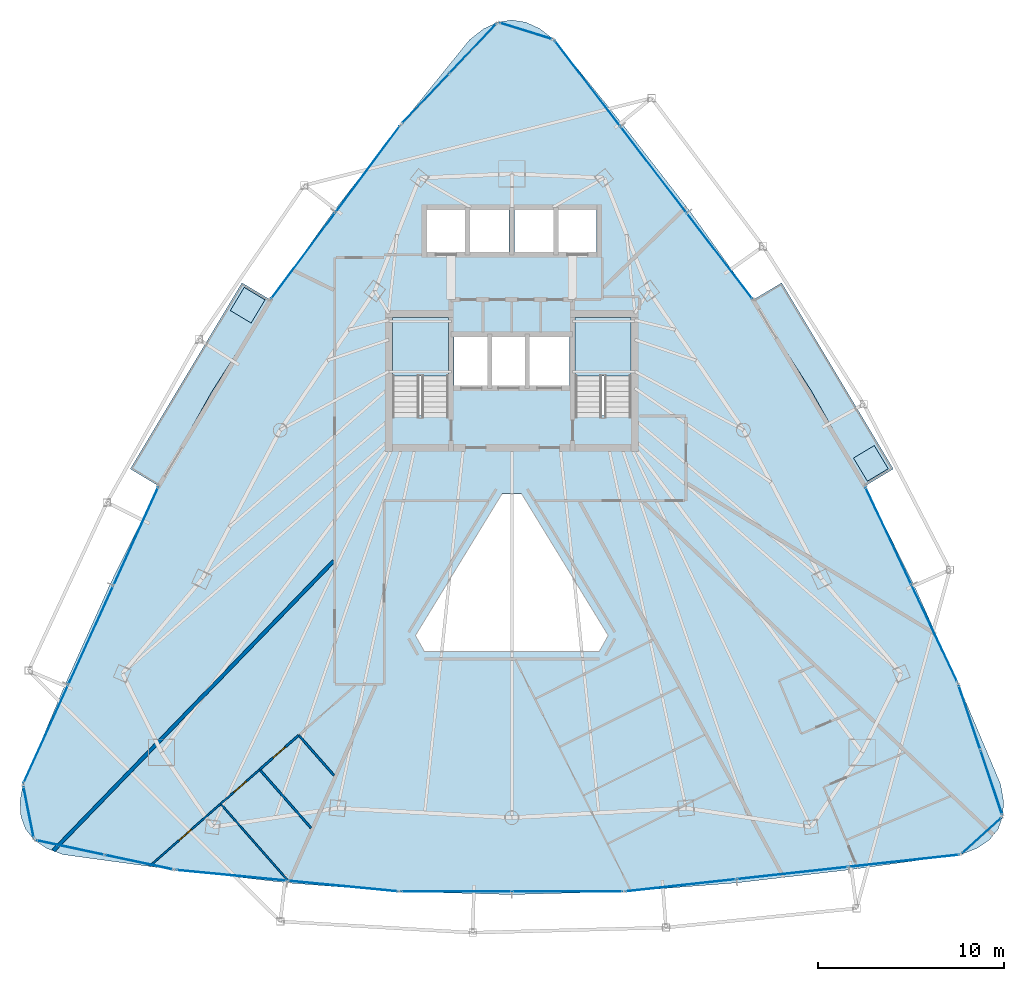
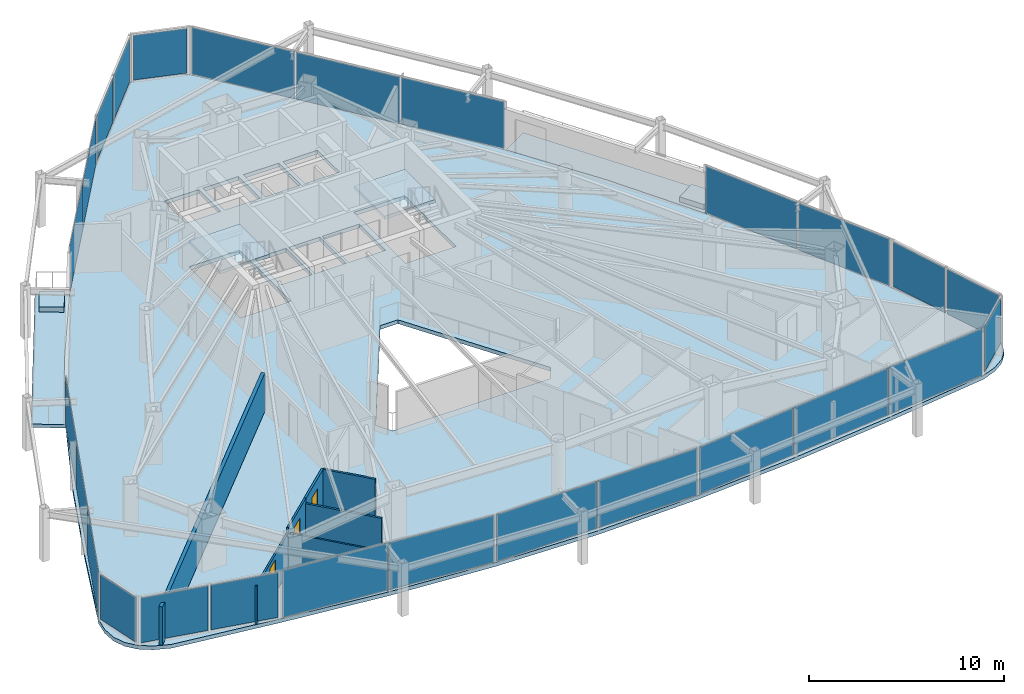
# One storey, part 25 of 31: 26 plates, 7 slabs, 7 walls, 3 doors, 3 openings, 15 elements without a shape of their own.
"""IFC4 building model written with IfcOpenShell, lengths in metres."""

from ifc_helpers import new_model, si_unit, direction, frame, frame_2d, origin, origin_2d, place, context, subcontext, project, spatial, polyline, rectangle, outline, extrude, material, layer, layer_set, type_object, element, fill, aggregate, save


model = new_model("IFC4")

# Units and contexts
model_context = context("Model", 3, precision=1e-05, world=origin(), true_north=direction((0.0, 1.0)))
body_context = subcontext(model_context, "Body", "Model", "MODEL_VIEW")
ifc_project = project(units=[si_unit("LENGTHUNIT", "METRE"), si_unit("AREAUNIT", "SQUARE_METRE"), si_unit("VOLUMEUNIT", "CUBIC_METRE"), si_unit("PLANEANGLEUNIT", "RADIAN"), si_unit("MASSUNIT", "GRAM", prefix="KILO")], contexts=[model_context])

# Site, building, storey
site_placement = place(None, origin())
site = spatial("IfcSite", under=ifc_project, at=site_placement, CompositionType="ELEMENT")
building_placement = place(site_placement, origin())
building = spatial("IfcBuilding", under=site, at=building_placement, Name="Orvanel Arch Residences", CompositionType="ELEMENT")
storey_placement = place(building_placement, frame((0.0, 0.0, 106.699951171875)))
storey = spatial("IfcBuildingStorey", under=building, at=storey_placement, Name="L29", CompositionType="ELEMENT", Elevation=106.699951171875)

# Curtain wall, plates
ifc_material_1 = material(Name="Bronze-anodised aluminium AA6063-T6", Category="aluminium")
ifc_layer_1 = layer(ifc_material_1, 0.179931640625)
ifc_layer_set_1 = layer_set([ifc_layer_1], Name="Bronze-anodised aluminium AA6063-T6")
curtain_wall_type_1 = type_object("IfcCurtainWallType", Name="CW3-MID-SYS", PredefinedType="NOTDEFINED", material=ifc_layer_set_1)
curtain_wall_1_placement = place(storey_placement, origin())
curtain_wall_1 = element("IfcCurtainWall", 1, at=curtain_wall_1_placement, inside=storey, type_object=curtain_wall_type_1, Name="L29 CW3-MID-SYS Unitised Curtain Wall", PredefinedType="NOTDEFINED")
ifc_material_2 = material(Name="Double-glazed solar-control low-E safety glass", Category="glass")
ifc_layer_2 = layer(ifc_material_2, 0.028076171875)
ifc_layer_set_2 = layer_set([ifc_layer_2], Name="Double-glazed solar-control low-E safety glass")
plate_type_1 = type_object("IfcPlateType", Name="PNL-GLZ-28", PredefinedType="CURTAIN_PANEL", material=ifc_layer_set_2)
plate_1_placement = place(storey_placement, frame((25.26953125, 41.6552734375, 0.06005859375), z_axis=(0.0, 0.0, 1.0), x_axis=(-0.596964580755, -0.802267592094, 0.0)))
plate_1 = element("IfcPlate", 2, at=plate_1_placement, type_object=plate_type_1, Name="CW-S3 panel 1.1", PredefinedType="CURTAIN_PANEL", context=body_context, shape_type="SweptSolid", body=[
    extrude(rectangle(XDim=5.727783203125, YDim=0.028076171875, at=origin_2d()), origin(), (0.0, 0.0, 1.0), 2.93994140625),
])
plate_2_placement = place(storey_placement, frame((21.808349609375, 37.00390625, 0.06005859375), z_axis=(0.0, 0.0, 1.0), x_axis=(-0.596964580755, -0.802267592094, 0.0)))
plate_2 = element("IfcPlate", 3, at=plate_2_placement, type_object=plate_type_1, Name="CW-S3 panel 2.1", PredefinedType="CURTAIN_PANEL", context=body_context, shape_type="SweptSolid", body=[
    extrude(rectangle(XDim=5.727783203125, YDim=0.028076171875, at=origin_2d()), origin(), (0.0, 0.0, 1.0), 2.93994140625),
])
aggregate(curtain_wall_1, [plate_1, plate_2])

curtain_wall_2_placement = place(storey_placement, origin())
curtain_wall_2 = element("IfcCurtainWall", 4, at=curtain_wall_2_placement, inside=storey, type_object=curtain_wall_type_1, Name="L29 CW3-MID-SYS Unitised Curtain Wall", PredefinedType="NOTDEFINED")
plate_3_placement = place(storey_placement, frame((12.826171875, 21.94970703125, 0.06005859375), z_axis=(0.0, 0.0, 1.0), x_axis=(-0.414361115258, -0.910112556864, 0.0)))
plate_3 = element("IfcPlate", 5, at=plate_3_placement, type_object=plate_type_1, Name="CW-S3 panel 1.1", PredefinedType="CURTAIN_PANEL", context=body_context, shape_type="SweptSolid", body=[
    extrude(rectangle(XDim=5.743408203125, YDim=0.028076171875, at=origin_2d()), origin(), (0.0, 0.0, 1.0), 2.93994140625),
])
plate_4_placement = place(storey_placement, frame((10.409912109375, 16.64306640625, 0.06005859375), z_axis=(0.0, 0.0, 1.0), x_axis=(-0.414361115258, -0.910112556864, 0.0)))
plate_4 = element("IfcPlate", 6, at=plate_4_placement, type_object=plate_type_1, Name="CW-S3 panel 2.1", PredefinedType="CURTAIN_PANEL", context=body_context, shape_type="SweptSolid", body=[
    extrude(rectangle(XDim=5.7783203125, YDim=0.028076171875, at=origin_2d()), origin(), (0.0, 0.0, 1.0), 2.93994140625),
])
plate_5_placement = place(storey_placement, frame((7.993896484375, 11.336181640625, 0.06005859375), z_axis=(0.0, 0.0, 1.0), x_axis=(-0.414361115258, -0.910112556864, 0.0)))
plate_5 = element("IfcPlate", 7, at=plate_5_placement, type_object=plate_type_1, Name="CW-S3 panel 3.1", PredefinedType="CURTAIN_PANEL", context=body_context, shape_type="SweptSolid", body=[
    extrude(rectangle(XDim=5.743408203125, YDim=0.028076171875, at=origin_2d()), origin(), (0.0, 0.0, 1.0), 2.93994140625),
])
aggregate(curtain_wall_2, [plate_3, plate_4, plate_5])

curtain_wall_3_placement = place(storey_placement, origin())
curtain_wall_3 = element("IfcCurtainWall", 8, at=curtain_wall_3_placement, inside=storey, type_object=curtain_wall_type_1, Name="L29 CW3-MID-SYS Unitised Curtain Wall", PredefinedType="NOTDEFINED")
plate_6_placement = place(storey_placement, frame((17.96923828125, 3.747802734375, 0.06005859375), z_axis=(0.0, 0.0, 1.0), x_axis=(0.995381496434, -0.095998315385, 0.0)))
plate_6 = element("IfcPlate", 9, at=plate_6_placement, type_object=plate_type_1, Name="CW-S3 panel 1.1", PredefinedType="CURTAIN_PANEL", context=body_context, shape_type="SweptSolid", body=[
    extrude(rectangle(XDim=5.92626953125, YDim=0.028076171875, at=origin_2d()), origin(), (0.0, 0.0, 1.0), 2.93994140625),
])
plate_7_placement = place(storey_placement, frame((23.937744140625, 3.172119140625, 0.06005859375), z_axis=(0.0, 0.0, 1.0), x_axis=(0.995381496434, -0.095998315385, 0.0)))
plate_7 = element("IfcPlate", 10, at=plate_7_placement, type_object=plate_type_1, Name="CW-S3 panel 2.1", PredefinedType="CURTAIN_PANEL", context=body_context, shape_type="SweptSolid", body=[
    extrude(rectangle(XDim=5.92626953125, YDim=0.028076171875, at=origin_2d()), origin(), (0.0, 0.0, 1.0), 2.93994140625),
])
aggregate(curtain_wall_3, [plate_6, plate_7])

curtain_wall_4_placement = place(storey_placement, origin())
curtain_wall_4 = element("IfcCurtainWall", 11, at=curtain_wall_4_placement, inside=storey, type_object=curtain_wall_type_1, Name="L29 CW3-MID-SYS Unitised Curtain Wall", PredefinedType="NOTDEFINED")
plate_8_placement = place(storey_placement, frame((30.01611328125, 2.87890625, 0.06005859375), z_axis=(0.0, 0.0, 1.0), x_axis=(1.0, 0.0, 0.0)))
plate_8 = element("IfcPlate", 12, at=plate_8_placement, type_object=plate_type_1, Name="CW-S3 panel 1.1", PredefinedType="CURTAIN_PANEL", context=body_context, shape_type="SweptSolid", body=[
    extrude(rectangle(XDim=5.89794921875, YDim=0.028076171875, at=origin_2d()), origin(), (0.0, 0.0, 1.0), 2.93994140625),
])
plate_9_placement = place(storey_placement, frame((35.98388671875, 2.87890625, 0.06005859375), z_axis=(0.0, 0.0, 1.0), x_axis=(1.0, 0.0, 0.0)))
plate_9 = element("IfcPlate", 13, at=plate_9_placement, type_object=plate_type_1, Name="CW-S3 panel 2.1", PredefinedType="CURTAIN_PANEL", context=body_context, shape_type="SweptSolid", body=[
    extrude(rectangle(XDim=5.89794921875, YDim=0.028076171875, at=origin_2d()), origin(), (0.0, 0.0, 1.0), 2.93994140625),
])
aggregate(curtain_wall_4, [plate_8, plate_9])

curtain_wall_5_placement = place(storey_placement, origin())
curtain_wall_5 = element("IfcCurtainWall", 14, at=curtain_wall_5_placement, inside=storey, type_object=curtain_wall_type_1, Name="L29 CW3-MID-SYS Unitised Curtain Wall", PredefinedType="NOTDEFINED")
plate_10_placement = place(storey_placement, frame((42.065673828125, 3.212890625, 0.06005859375), z_axis=(0.0, 0.0, 1.0), x_axis=(0.994024770117, 0.109154736008, 0.0)))
plate_10 = element("IfcPlate", 15, at=plate_10_placement, type_object=plate_type_1, Name="CW-S3 panel 1.1", PredefinedType="CURTAIN_PANEL", context=body_context, shape_type="SweptSolid", body=[
    extrude(rectangle(XDim=5.94140625, YDim=0.028076171875, at=origin_2d()), origin(), (0.0, 0.0, 1.0), 2.93994140625),
])
plate_11_placement = place(storey_placement, frame((48.05859375, 3.87109375, 0.06005859375), z_axis=(0.0, 0.0, 1.0), x_axis=(0.994024770117, 0.109154736008, 0.0)))
plate_11 = element("IfcPlate", 16, at=plate_11_placement, type_object=plate_type_1, Name="CW-S3 panel 2.1", PredefinedType="CURTAIN_PANEL", context=body_context, shape_type="SweptSolid", body=[
    extrude(rectangle(XDim=5.9765625, YDim=0.028076171875, at=origin_2d()), origin(), (0.0, 0.0, 1.0), 2.93994140625),
])
plate_12_placement = place(storey_placement, frame((54.051513671875, 4.529052734375, 0.06005859375), z_axis=(0.0, 0.0, 1.0), x_axis=(0.994024770117, 0.109154736008, 0.0)))
plate_12 = element("IfcPlate", 17, at=plate_12_placement, type_object=plate_type_1, Name="CW-S3 panel 3.1", PredefinedType="CURTAIN_PANEL", context=body_context, shape_type="SweptSolid", body=[
    extrude(rectangle(XDim=5.94140625, YDim=0.028076171875, at=origin_2d()), origin(), (0.0, 0.0, 1.0), 2.93994140625),
])
aggregate(curtain_wall_5, [plate_10, plate_11, plate_12])

curtain_wall_6_placement = place(storey_placement, origin())
curtain_wall_6 = element("IfcCurtainWall", 18, at=curtain_wall_6_placement, inside=storey, type_object=curtain_wall_type_1, Name="L29 CW3-MID-SYS Unitised Curtain Wall", PredefinedType="NOTDEFINED")
plate_13_placement = place(storey_placement, frame((55.681396484375, 16.7294921875, 0.06005859375), z_axis=(0.0, 0.0, 1.0), x_axis=(-0.42662661363, 0.904427848168, 0.0)))
plate_13 = element("IfcPlate", 19, at=plate_13_placement, type_object=plate_type_1, Name="CW-S3 panel 1.1", PredefinedType="CURTAIN_PANEL", context=body_context, shape_type="SweptSolid", body=[
    extrude(rectangle(XDim=5.72802734375, YDim=0.028076171875, at=origin_2d()), origin(), (0.0, 0.0, 1.0), 2.93994140625),
])
plate_14_placement = place(storey_placement, frame((53.207763671875, 21.973388671875, 0.06005859375), z_axis=(0.0, 0.0, 1.0), x_axis=(-0.42662661363, 0.904427848168, 0.0)))
plate_14 = element("IfcPlate", 20, at=plate_14_placement, type_object=plate_type_1, Name="CW-S3 panel 2.1", PredefinedType="CURTAIN_PANEL", context=body_context, shape_type="SweptSolid", body=[
    extrude(rectangle(XDim=5.72802734375, YDim=0.028076171875, at=origin_2d()), origin(), (0.0, 0.0, 1.0), 2.93994140625),
])
aggregate(curtain_wall_6, [plate_13, plate_14])

curtain_wall_7_placement = place(storey_placement, origin())
curtain_wall_7 = element("IfcCurtainWall", 21, at=curtain_wall_7_placement, inside=storey, type_object=curtain_wall_type_1, Name="L29 CW3-MID-SYS Unitised Curtain Wall", PredefinedType="NOTDEFINED")
plate_15_placement = place(storey_placement, frame((44.15478515625, 36.985595703125, 0.06005859375), z_axis=(0.0, 0.0, 1.0), x_axis=(-0.607904887805, 0.794009853454, 0.0)))
plate_15 = element("IfcPlate", 22, at=plate_15_placement, type_object=plate_type_1, Name="CW-S3 panel 1.1", PredefinedType="CURTAIN_PANEL", context=body_context, shape_type="SweptSolid", body=[
    extrude(rectangle(XDim=5.742919921875, YDim=0.028076171875, at=origin_2d()), origin(), (0.0, 0.0, 1.0), 2.93994140625),
])
plate_16_placement = place(storey_placement, frame((40.610595703125, 41.614990234375, 0.06005859375), z_axis=(0.0, 0.0, 1.0), x_axis=(-0.607904887805, 0.794009853454, 0.0)))
plate_16 = element("IfcPlate", 23, at=plate_16_placement, type_object=plate_type_1, Name="CW-S3 panel 2.1", PredefinedType="CURTAIN_PANEL", context=body_context, shape_type="SweptSolid", body=[
    extrude(rectangle(XDim=5.778076171875, YDim=0.028076171875, at=origin_2d()), origin(), (0.0, 0.0, 1.0), 2.93994140625),
])
plate_17_placement = place(storey_placement, frame((37.066162109375, 46.244384765625, 0.06005859375), z_axis=(0.0, 0.0, 1.0), x_axis=(-0.607904887805, 0.794009853454, 0.0)))
plate_17 = element("IfcPlate", 24, at=plate_17_placement, type_object=plate_type_1, Name="CW-S3 panel 3.1", PredefinedType="CURTAIN_PANEL", context=body_context, shape_type="SweptSolid", body=[
    extrude(rectangle(XDim=5.742919921875, YDim=0.028076171875, at=origin_2d()), origin(), (0.0, 0.0, 1.0), 2.93994140625),
])
aggregate(curtain_wall_7, [plate_15, plate_16, plate_17])

# Curtain wall, plate
ifc_layer_3 = layer(ifc_material_1, 0.18994140625)
ifc_layer_set_3 = layer_set([ifc_layer_3], Name="Bronze-anodised aluminium AA6063-T6")
curtain_wall_type_2 = type_object("IfcCurtainWallType", Name="CW5-CRN-SYS", PredefinedType="NOTDEFINED", material=ifc_layer_set_3)
curtain_wall_8_placement = place(storey_placement, origin())
curtain_wall_8 = element("IfcCurtainWall", 25, at=curtain_wall_8_placement, inside=storey, type_object=curtain_wall_type_2, Name="L29 CW5-CRN-SYS Unitised Curtain Wall", PredefinedType="NOTDEFINED")
ifc_layer_4 = layer(ifc_material_2, 0.031982421875)
ifc_layer_set_4 = layer_set([ifc_layer_4], Name="Double-glazed solar-control low-E safety glass")
plate_type_2 = type_object("IfcPlateType", Name="PNL-GLZ-32", PredefinedType="CURTAIN_PANEL", material=ifc_layer_set_4)
plate_18_placement = place(storey_placement, frame((33.755615234375, 49.06591796875, 0.1298828125), z_axis=(0.0, 0.0, 1.0), x_axis=(-0.954860811734, 0.297053581385, 0.0)))
plate_18 = element("IfcPlate", 26, at=plate_18_placement, type_object=plate_type_2, Name="CW-S5 panel 1.1", PredefinedType="CURTAIN_PANEL", context=body_context, shape_type="SweptSolid", body=[
    extrude(rectangle(XDim=2.823974609375, YDim=0.031982421875, at=origin_2d()), origin(), (0.0, 0.0, 1.0), 2.800048828125),
])
aggregate(curtain_wall_8, [plate_18])

# Curtain wall, plates
curtain_wall_9_placement = place(storey_placement, origin())
curtain_wall_9 = element("IfcCurtainWall", 27, at=curtain_wall_9_placement, inside=storey, type_object=curtain_wall_type_2, Name="L29 CW5-CRN-SYS Unitised Curtain Wall", PredefinedType="NOTDEFINED")
plate_19_placement = place(storey_placement, frame((30.9091796875, 48.12353515625, 0.1298828125), z_axis=(0.0, 0.0, 1.0), x_axis=(-0.687148803873, -0.7265167041, 0.0)))
plate_19 = element("IfcPlate", 28, at=plate_19_placement, type_object=plate_type_2, Name="CW-S5 panel 1.1", PredefinedType="CURTAIN_PANEL", context=body_context, shape_type="SweptSolid", body=[
    extrude(rectangle(XDim=3.547119140625, YDim=0.031982421875, at=origin_2d()), origin(), (0.0, 0.0, 1.0), 2.800048828125),
])
plate_20_placement = place(storey_placement, frame((28.36865234375, 45.4375, 0.1298828125), z_axis=(0.0, 0.0, 1.0), x_axis=(-0.687148803873, -0.7265167041, 0.0)))
plate_20 = element("IfcPlate", 29, at=plate_20_placement, type_object=plate_type_2, Name="CW-S5 panel 2.1", PredefinedType="CURTAIN_PANEL", context=body_context, shape_type="SweptSolid", body=[
    extrude(rectangle(XDim=3.547119140625, YDim=0.031982421875, at=origin_2d()), origin(), (0.0, 0.0, 1.0), 2.800048828125),
])
aggregate(curtain_wall_9, [plate_19, plate_20])

# Curtain wall, plate
curtain_wall_10_placement = place(storey_placement, origin())
curtain_wall_10 = element("IfcCurtainWall", 30, at=curtain_wall_10_placement, inside=storey, type_object=curtain_wall_type_2, Name="L29 CW5-CRN-SYS Unitised Curtain Wall", PredefinedType="NOTDEFINED")
plate_21_placement = place(storey_placement, frame((7.06494140625, 7.146484375, 0.1298828125), z_axis=(0.0, 0.0, 1.0), x_axis=(0.195540530712, -0.980695620898, 0.0)))
plate_21 = element("IfcPlate", 31, at=plate_21_placement, type_object=plate_type_2, Name="CW-S5 panel 1.1", PredefinedType="CURTAIN_PANEL", context=body_context, shape_type="SweptSolid", body=[
    extrude(rectangle(XDim=2.70703125, YDim=0.031982421875, at=origin_2d()), origin(), (0.0, 0.0, 1.0), 2.800048828125),
])
aggregate(curtain_wall_10, [plate_21])

# Curtain wall, plates
curtain_wall_11_placement = place(storey_placement, origin())
curtain_wall_11 = element("IfcCurtainWall", 32, at=curtain_wall_11_placement, inside=storey, type_object=curtain_wall_type_2, Name="L29 CW5-CRN-SYS Unitised Curtain Wall", PredefinedType="NOTDEFINED")
plate_22_placement = place(storey_placement, frame((9.301513671875, 5.239501953125, 0.1298828125), z_axis=(0.0, 0.0, 1.0), x_axis=(0.978065955082, -0.208295433244, 0.0)))
plate_22 = element("IfcPlate", 33, at=plate_22_placement, type_object=plate_type_2, Name="CW-S5 panel 1.1", PredefinedType="CURTAIN_PANEL", context=body_context, shape_type="SweptSolid", body=[
    extrude(rectangle(XDim=3.622802734375, YDim=0.031982421875, at=origin_2d()), origin(), (0.0, 0.0, 1.0), 2.800048828125),
])
plate_23_placement = place(storey_placement, frame((12.991455078125, 4.45361328125, 0.1298828125), z_axis=(0.0, 0.0, 1.0), x_axis=(0.978065955082, -0.208295433244, 0.0)))
plate_23 = element("IfcPlate", 34, at=plate_23_placement, type_object=plate_type_2, Name="CW-S5 panel 2.1", PredefinedType="CURTAIN_PANEL", context=body_context, shape_type="SweptSolid", body=[
    extrude(rectangle(XDim=3.622802734375, YDim=0.031982421875, at=origin_2d()), origin(), (0.0, 0.0, 1.0), 2.800048828125),
])
aggregate(curtain_wall_11, [plate_22, plate_23])

# Curtain wall, plate
curtain_wall_12_placement = place(storey_placement, origin())
curtain_wall_12 = element("IfcCurtainWall", 35, at=curtain_wall_12_placement, inside=storey, type_object=curtain_wall_type_2, Name="L29 CW5-CRN-SYS Unitised Curtain Wall", PredefinedType="NOTDEFINED")
plate_24_placement = place(storey_placement, frame((58.221923828125, 5.886962890625, 0.1298828125), z_axis=(0.0, 0.0, 1.0), x_axis=(0.740210851993, 0.672374817042, 0.0)))
plate_24 = element("IfcPlate", 36, at=plate_24_placement, type_object=plate_type_2, Name="CW-S5 panel 1.1", PredefinedType="CURTAIN_PANEL", context=body_context, shape_type="SweptSolid", body=[
    extrude(rectangle(XDim=2.707275390625, YDim=0.031982421875, at=origin_2d()), origin(), (0.0, 0.0, 1.0), 2.800048828125),
])
aggregate(curtain_wall_12, [plate_24])

# Curtain wall, plates
curtain_wall_13_placement = place(storey_placement, origin())
curtain_wall_13 = element("IfcCurtainWall", 37, at=curtain_wall_13_placement, inside=storey, type_object=curtain_wall_type_2, Name="L29 CW5-CRN-SYS Unitised Curtain Wall", PredefinedType="NOTDEFINED")
plate_25_placement = place(storey_placement, frame((58.73291015625, 8.74267578125, 0.1298828125), z_axis=(0.0, 0.0, 1.0), x_axis=(-0.319385206856, 0.947624973099, 0.0)))
plate_25 = element("IfcPlate", 38, at=plate_25_placement, type_object=plate_type_2, Name="CW-S5 panel 1.1", PredefinedType="CURTAIN_PANEL", context=body_context, shape_type="SweptSolid", body=[
    extrude(rectangle(XDim=3.52587890625, YDim=0.031982421875, at=origin_2d()), origin(), (0.0, 0.0, 1.0), 2.800048828125),
])
plate_26_placement = place(storey_placement, frame((57.55908203125, 12.226318359375, 0.1298828125), z_axis=(0.0, 0.0, 1.0), x_axis=(-0.319385206856, 0.947624973099, 0.0)))
plate_26 = element("IfcPlate", 39, at=plate_26_placement, type_object=plate_type_2, Name="CW-S5 panel 2.1", PredefinedType="CURTAIN_PANEL", context=body_context, shape_type="SweptSolid", body=[
    extrude(rectangle(XDim=3.52587890625, YDim=0.031982421875, at=origin_2d()), origin(), (0.0, 0.0, 1.0), 2.800048828125),
])
aggregate(curtain_wall_13, [plate_25, plate_26])

# Slabs
ifc_material_3 = material(Name="Concrete N40 (40 MPa)", Category="concrete")
ifc_layer_5 = layer(ifc_material_3, 0.215087890625)
ifc_layer_set_5 = layer_set([ifc_layer_5], Name="Concrete N40 (40 MPa)")
slab_type_1 = type_object("IfcSlabType", Name="SLB-BAL-215", PredefinedType="FLOOR", material=ifc_layer_set_5)
slab_1_placement = place(storey_placement, frame((0.0, 0.0, -0.21484375)))
element("IfcSlab", 40, at=slab_1_placement, inside=storey, type_object=slab_type_1, Name="L29 Cantilevered Balcony Slab Face 3", PredefinedType="FLOOR", context=body_context, shape_type="SweptSolid", body=[
    extrude(outline(polyline([(53.47412109375, 25.56005859375), (47.48193359375, 35.549072265625), (45.955078125, 34.634033203125), (49.092041015625, 29.722900390625), (51.947021484375, 24.64501953125), (53.47412109375, 25.56005859375)])), origin(), (0.0, 0.0, 1.0), 0.21484375),
])
slab_2_placement = place(storey_placement, frame((0.0, 0.0, -0.21484375)))
element("IfcSlab", 41, at=slab_2_placement, inside=storey, type_object=slab_type_1, Name="L29 Cantilevered Balcony Slab Face 1", PredefinedType="FLOOR", context=body_context, shape_type="SweptSolid", body=[
    extrude(outline(polyline([(18.51806640625, 35.549072265625), (12.52587890625, 25.56005859375), (14.052978515625, 24.64501953125), (16.908935546875, 29.722900390625), (20.044921875, 34.634033203125), (18.51806640625, 35.549072265625)])), origin(), (0.0, 0.0, 1.0), 0.21484375),
])

# Stair, slab
ifc_material_4 = material(Name="Precast concrete N50 (50 MPa)", Category="concrete")
stair_type = type_object("IfcStairType", Name="STR-DOG-184", PredefinedType="USERDEFINED", material=ifc_material_4)
stair_1_placement = place(storey_placement, origin())
stair_1 = element("IfcStair", 42, at=stair_1_placement, inside=storey, type_object=stair_type, Name="L29 Fire-Isolated Core Exit Stair 1", ObjectType="TWO_RETURN_STAIR", PredefinedType="USERDEFINED")
ifc_layer_6 = layer(ifc_material_3, 0.199951171875)
ifc_layer_set_6 = layer_set([ifc_layer_6], Name="Concrete N40 (40 MPa)")
slab_type_2 = type_object("IfcSlabType", Name="SLB-LND-200", PredefinedType="LANDING", material=ifc_layer_set_6)
slab_3_placement = place(storey_placement, frame((0.0, 0.0, 1.449951171875)))
slab_3 = element("IfcSlab", 43, at=slab_3_placement, type_object=slab_type_2, Name="ST-1 landing 1", PredefinedType="LANDING", context=body_context, shape_type="SweptSolid", body=[
    extrude(outline(polyline([(29.60009765625, 30.56005859375), (29.60009765625, 33.699951171875), (26.60009765625, 33.699951171875), (26.60009765625, 30.56005859375), (29.60009765625, 30.56005859375)])), origin(), (0.0, 0.0, 1.0), 0.2001953125),
])
aggregate(stair_1, [slab_3])

stair_2_placement = place(storey_placement, origin())
stair_2 = element("IfcStair", 44, at=stair_2_placement, inside=storey, type_object=stair_type, Name="L29 Fire-Isolated Core Exit Stair 2", ObjectType="TWO_RETURN_STAIR", PredefinedType="USERDEFINED")
slab_4_placement = place(storey_placement, frame((0.0, 0.0, 1.449951171875)))
slab_4 = element("IfcSlab", 45, at=slab_4_placement, type_object=slab_type_2, Name="ST-2 landing 1", PredefinedType="LANDING", context=body_context, shape_type="SweptSolid", body=[
    extrude(outline(polyline([(39.39990234375, 30.56005859375), (39.39990234375, 33.699951171875), (36.39990234375, 33.699951171875), (36.39990234375, 30.56005859375), (39.39990234375, 30.56005859375)])), origin(), (0.0, 0.0, 1.0), 0.2001953125),
])
aggregate(stair_2, [slab_4])

# Slabs
ifc_material_5 = material(Name="Structural architectural precast concrete N40 (40 MPa) planter", Category="concrete")
ifc_layer_7 = layer(ifc_material_5, 0.320068359375)
ifc_layer_set_7 = layer_set([ifc_layer_7], Name="Structural architectural precast concrete N40 (40 MPa) planter")
slab_type_3 = type_object("IfcSlabType", Name="SLB-PLN-320", PredefinedType="USERDEFINED", material=ifc_layer_set_7)
slab_5_placement = place(storey_placement, origin())
element("IfcSlab", 46, at=slab_5_placement, inside=storey, type_object=slab_type_3, Name="L29 Balcony TREE PLANTER Face 3", ObjectType="PLANTER", PredefinedType="USERDEFINED", context=body_context, shape_type="SweptSolid", body=[
    extrude(outline(polyline([(53.198974609375, 25.571044921875), (52.452880859375, 26.81396484375), (51.339111328125, 26.14501953125), (52.083984375, 24.902099609375), (53.198974609375, 25.571044921875)])), origin(), (0.0, 0.0, 1.0), 0.320068359375),
])
slab_6_placement = place(storey_placement, origin())
element("IfcSlab", 47, at=slab_6_placement, inside=storey, type_object=slab_type_3, Name="L29 Balcony TREE PLANTER Face 1", ObjectType="PLANTER", PredefinedType="USERDEFINED", context=body_context, shape_type="SweptSolid", body=[
    extrude(outline(polyline([(18.637939453125, 35.302001953125), (17.89208984375, 34.05908203125), (19.007080078125, 33.389892578125), (19.7529296875, 34.634033203125), (18.637939453125, 35.302001953125)])), origin(), (0.0, 0.0, 1.0), 0.320068359375),
])
ifc_layer_8 = layer(ifc_material_3, 0.239990234375)
ifc_layer_set_8 = layer_set([ifc_layer_8], Name="Concrete N40 (40 MPa)")
slab_type_4 = type_object("IfcSlabType", Name="SLB-TYP-240", PredefinedType="FLOOR", material=ifc_layer_set_8)
slab_7_placement = place(storey_placement, frame((0.0, 0.0, -0.239990234375)))
element("IfcSlab", 48, at=slab_7_placement, inside=storey, type_object=slab_type_4, Name="L29 Tower Floor Slab", PredefinedType="FLOOR", context=body_context, shape_type="SweptSolid", body=[
    extrude(outline(polyline([(35.26611328125, 48.595947265625), (34.510986328125, 49.18408203125), (33.7548828125, 49.535888671875), (33.0, 49.654052734375), (32.2451171875, 49.535888671875), (31.489013671875, 49.18408203125), (30.73388671875, 48.595947265625), (27.032958984375, 44.02490234375), (23.43994140625, 39.388916015625), (20.044921875, 34.634033203125), (16.908935546875, 29.722900390625), (14.052978515625, 24.64501953125), (11.4560546875, 19.410888671875), (9.05810546875, 14.05810546875), (6.76708984375, 8.64111328125), (6.60498046875, 7.717041015625), (6.64990234375, 6.910888671875), (6.903076171875, 6.222900390625), (7.363037109375, 5.652099609375), (8.031005859375, 5.198974609375), (8.906005859375, 4.863037109375), (14.929931640625, 4.041015625), (20.952880859375, 3.343994140625), (26.97705078125, 2.87890625), (33.0, 2.715087890625), (39.02294921875, 2.87890625), (45.047119140625, 3.343994140625), (51.071044921875, 4.041015625), (57.093994140625, 4.863037109375), (57.968994140625, 5.198974609375), (58.636962890625, 5.652099609375), (59.096923828125, 6.222900390625), (59.35009765625, 6.910888671875), (59.39501953125, 7.717041015625), (59.23291015625, 8.64111328125), (56.94189453125, 14.05810546875), (54.5439453125, 19.410888671875), (51.947021484375, 24.64501953125), (49.092041015625, 29.722900390625), (45.955078125, 34.634033203125), (42.56005859375, 39.388916015625), (38.967041015625, 44.02490234375), (35.26611328125, 48.595947265625)]), holes=[polyline([(26.60009765625, 28.429931640625), (26.60009765625, 33.699951171875), (29.60009765625, 33.699951171875), (29.60009765625, 28.429931640625), (26.60009765625, 28.429931640625)]), polyline([(36.39990234375, 28.429931640625), (36.39990234375, 33.699951171875), (39.39990234375, 33.699951171875), (39.39990234375, 28.429931640625), (36.39990234375, 28.429931640625)]), polyline([(29.89990234375, 32.64990234375), (31.75, 32.64990234375), (31.75, 29.949951171875), (29.89990234375, 29.949951171875), (29.89990234375, 32.64990234375)]), polyline([(31.89990234375, 32.64990234375), (33.75, 32.64990234375), (33.75, 29.949951171875), (31.89990234375, 29.949951171875), (31.89990234375, 32.64990234375)]), polyline([(33.89990234375, 32.64990234375), (36.10009765625, 32.64990234375), (36.10009765625, 29.949951171875), (33.89990234375, 29.949951171875), (33.89990234375, 32.64990234375)]), polyline([(28.449951171875, 39.449951171875), (30.5, 39.449951171875), (30.5, 37.199951171875), (28.449951171875, 37.199951171875), (28.449951171875, 39.449951171875)]), polyline([(35.5, 39.449951171875), (37.550048828125, 39.449951171875), (37.550048828125, 37.199951171875), (35.5, 37.199951171875), (35.5, 39.449951171875)]), polyline([(30.75, 39.449951171875), (32.85009765625, 39.449951171875), (32.85009765625, 37.199951171875), (30.75, 37.199951171875), (30.75, 39.449951171875)]), polyline([(33.14990234375, 39.449951171875), (35.25, 39.449951171875), (35.25, 37.199951171875), (33.14990234375, 37.199951171875), (33.14990234375, 39.449951171875)]), polyline([(38.175048828125, 16.6220703125), (37.694091796875, 15.763916015625), (28.305908203125, 15.763916015625), (27.824951171875, 16.6220703125), (32.47607421875, 24.22998046875), (33.52392578125, 24.22998046875), (38.175048828125, 16.6220703125)])]), origin(), (0.0, 0.0, 1.0), 0.239990234375),
])

# Wall
ifc_material_6 = material(Name="Fire-rated plasterboard lined steel stud partition", Category="steel")
ifc_layer_9 = layer(ifc_material_6, 0.199951171875)
ifc_layer_set_9 = layer_set([ifc_layer_9], Name="Fire-rated plasterboard lined steel stud partition")
wall_type_1 = type_object("IfcWallType", Name="W-DEM-200", PredefinedType="PARTITIONING", material=ifc_layer_set_9)
wall_1_placement = place(storey_placement, frame((23.43994140625, 20.62109375, 0.0), z_axis=(0.0, 0.0, 1.0), x_axis=(-0.695405261367, -0.718617786075, 0.0)))
element("IfcWall", 49, at=wall_1_placement, inside=storey, type_object=wall_type_1, Name="L29 Inter-Tenancy Acoustic Demising Wall", PredefinedType="PARTITIONING", context=body_context, shape_type="SweptSolid", body=[
    extrude(rectangle(XDim=21.634765625, YDim=0.199951171875, at=frame_2d((10.8173828125, 0.0))), origin(), (0.0, 0.0, 1.0), 2.4130859375),
])

# Wall, opening, door
ifc_material_7 = material(Name="Acoustic plasterboard lined twin-stud partition", Category="gypsum")
ifc_layer_10 = layer(ifc_material_7, 0.10009765625)
ifc_layer_set_10 = layer_set([ifc_layer_10], Name="Acoustic plasterboard lined twin-stud partition")
wall_type_2 = type_object("IfcWallType", Name="W-INT-100", PredefinedType="PARTITIONING", material=ifc_layer_set_10)
wall_2_placement = place(storey_placement, frame((17.3701171875, 7.5859375, 0.0), z_axis=(0.0, 0.0, 1.0), x_axis=(-0.751292920188, -0.659968899324, 0.0)))
wall_2 = element("IfcWall", 50, at=wall_2_placement, inside=storey, type_object=wall_type_2, Name="L29 Flat E Internal Partition", PredefinedType="PARTITIONING", context=body_context, shape_type="SweptSolid", body=[
    extrude(rectangle(XDim=5.0712890625, YDim=0.10009765625, at=frame_2d((2.53564453125, 0.0))), origin(), (0.0, 0.0, 1.0), 2.4130859375),
])
opening_1_placement = place(wall_2_placement, frame((2.095947265625, 0.0, 0.0)))
opening_1 = element("IfcOpeningElement", 51, at=opening_1_placement, cuts=wall_2, Name="Opening DI-088", PredefinedType="OPENING", context=body_context, shape_type="SweptSolid", body=[
    extrude(rectangle(XDim=0.8798828125, YDim=2.10009765625, at=frame_2d((0.43994140625, 1.050048828125))), frame((0.0, 0.06005859375, 0.0), z_axis=(0.0, -1.0, 0.0), x_axis=(1.0, 0.0, 0.0)), (0.0, 0.0, 1.0), 0.1201171875),
])
ifc_material_8 = material(Name="Solid-core European oak veneer fire door leaf", Category="wood")
door_type = type_object("IfcDoorType", Name="DR-INT-880", OperationType="NOTDEFINED", PredefinedType="DOOR", material=ifc_material_8)
door_1_placement = place(opening_1_placement, origin())
door_1 = element("IfcDoor", 52, at=door_1_placement, inside=storey, type_object=door_type, Name="DR-L29-E-BED1 L29 Flat E Bedroom 1 Door", OperationType="SINGLE_SWING_LEFT", OverallHeight=2.10009765625, OverallWidth=0.8798828125, PredefinedType="DOOR", context=body_context, shape_type="SweptSolid", body=[
    extrude(rectangle(XDim=0.8798828125, YDim=2.10009765625, at=frame_2d((0.43994140625, 1.050048828125))), frame((0.0, 0.02490234375, 0.0), z_axis=(0.0, -1.0, 0.0), x_axis=(1.0, 0.0, 0.0)), (0.0, 0.0, 1.0), 0.050048828125),
])
fill(opening_1, door_1)

wall_3_placement = place(storey_placement, frame((19.467041015625, 9.427001953125, 0.0), z_axis=(0.0, 0.0, 1.0), x_axis=(-0.751464558758, -0.659773458795, 0.0)))
wall_3 = element("IfcWall", 53, at=wall_3_placement, inside=storey, type_object=wall_type_2, Name="L29 Flat E Internal Partition", PredefinedType="PARTITIONING", context=body_context, shape_type="SweptSolid", body=[
    extrude(rectangle(XDim=2.79052734375, YDim=0.10009765625, at=frame_2d((1.395263671875, 0.0))), origin(), (0.0, 0.0, 1.0), 2.720947265625),
])
opening_2_placement = place(wall_3_placement, frame((0.955078125, 0.0, 0.0)))
opening_2 = element("IfcOpeningElement", 54, at=opening_2_placement, cuts=wall_3, Name="Opening DI-088", PredefinedType="OPENING", context=body_context, shape_type="SweptSolid", body=[
    extrude(rectangle(XDim=0.8798828125, YDim=2.10009765625, at=frame_2d((0.43994140625, 1.050048828125))), frame((0.0, 0.06005859375, 0.0), z_axis=(0.0, -1.0, 0.0), x_axis=(1.0, 0.0, 0.0)), (0.0, 0.0, 1.0), 0.1201171875),
])
door_2_placement = place(opening_2_placement, origin())
door_2 = element("IfcDoor", 55, at=door_2_placement, inside=storey, type_object=door_type, Name="DR-L29-E-DIN2 L29 Flat E Dining Room 2 Door", OperationType="SINGLE_SWING_LEFT", OverallHeight=2.10009765625, OverallWidth=0.8798828125, PredefinedType="DOOR", context=body_context, shape_type="SweptSolid", body=[
    extrude(rectangle(XDim=0.8798828125, YDim=2.10009765625, at=frame_2d((0.43994140625, 1.050048828125))), frame((0.0, 0.02490234375, 0.0), z_axis=(0.0, -1.0, 0.0), x_axis=(1.0, 0.0, 0.0)), (0.0, 0.0, 1.0), 0.050048828125),
])
fill(opening_2, door_2)

# Wall
wall_4_placement = place(storey_placement, frame((17.3701171875, 7.5859375, 0.0), z_axis=(0.0, 0.0, 1.0), x_axis=(0.659851528992, -0.751396007234, 0.0)))
element("IfcWall", 56, at=wall_4_placement, inside=storey, type_object=wall_type_2, Name="L29 Flat E Internal Partition", PredefinedType="PARTITIONING", context=body_context, shape_type="SweptSolid", body=[
    extrude(rectangle(XDim=5.47509765625, YDim=0.10009765625, at=frame_2d((2.737548828125, 0.0))), origin(), (0.0, 0.0, 1.0), 2.4130859375),
])

# Wall, opening, door
ifc_layer_11 = layer(ifc_material_7, 0.1201171875)
ifc_layer_set_11 = layer_set([ifc_layer_11], Name="Acoustic plasterboard lined twin-stud partition")
wall_type_3 = type_object("IfcWallType", Name="W-WET-120", PredefinedType="PARTITIONING", material=ifc_layer_set_11)
wall_5_placement = place(storey_placement, frame((21.56298828125, 11.26904296875, 0.0), z_axis=(0.0, 0.0, 1.0), x_axis=(-0.751138604229, -0.660144527537, 0.0)))
wall_5 = element("IfcWall", 57, at=wall_5_placement, inside=storey, type_object=wall_type_3, Name="L29 Flat E Internal Partition", PredefinedType="PARTITIONING", context=body_context, shape_type="SweptSolid", body=[
    extrude(rectangle(XDim=2.790283203125, YDim=0.1201171875, at=frame_2d((1.39501953125, 0.0))), origin(), (0.0, 0.0, 1.0), 2.720947265625),
])
opening_3_placement = place(wall_5_placement, frame((0.955078125, 0.0, 0.0)))
opening_3 = element("IfcOpeningElement", 58, at=opening_3_placement, cuts=wall_5, Name="Opening DI-088", PredefinedType="OPENING", context=body_context, shape_type="SweptSolid", body=[
    extrude(rectangle(XDim=0.8798828125, YDim=2.10009765625, at=frame_2d((0.43994140625, 1.050048828125))), frame((0.0, 0.070068359375, 0.0), z_axis=(0.0, -1.0, 0.0), x_axis=(1.0, 0.0, 0.0)), (0.0, 0.0, 1.0), 0.14013671875),
])
door_3_placement = place(opening_3_placement, origin())
door_3 = element("IfcDoor", 59, at=door_3_placement, inside=storey, type_object=door_type, Name="DR-L29-E-KIT L29 Flat E Kitchen Door", OperationType="SINGLE_SWING_LEFT", OverallHeight=2.10009765625, OverallWidth=0.8798828125, PredefinedType="DOOR", context=body_context, shape_type="SweptSolid", body=[
    extrude(rectangle(XDim=0.8798828125, YDim=2.10009765625, at=frame_2d((0.43994140625, 1.050048828125))), frame((0.0, 0.02490234375, 0.0), z_axis=(0.0, -1.0, 0.0), x_axis=(1.0, 0.0, 0.0)), (0.0, 0.0, 1.0), 0.050048828125),
])
fill(opening_3, door_3)

# Walls
wall_6_placement = place(storey_placement, frame((23.467041015625, 9.10205078125, 0.0), z_axis=(0.0, 0.0, 1.0), x_axis=(-0.660061062947, 0.751211949573, 0.0)))
element("IfcWall", 60, at=wall_6_placement, inside=storey, type_object=wall_type_3, Name="L29 Flat E Bathroom Partition", PredefinedType="PARTITIONING", context=body_context, shape_type="SweptSolid", body=[
    extrude(rectangle(XDim=2.884765625, YDim=0.1201171875, at=frame_2d((1.4423828125, 0.0))), origin(), (0.0, 0.0, 1.0), 2.720947265625),
])
wall_7_placement = place(storey_placement, frame((22.22509765625, 6.287109375, 0.0), z_axis=(0.0, 0.0, 1.0), x_axis=(-0.659946783628, 0.751312347016, 0.0)))
element("IfcWall", 61, at=wall_7_placement, inside=storey, type_object=wall_type_3, Name="L29 Flat E Internal Partition", PredefinedType="PARTITIONING", context=body_context, shape_type="SweptSolid", body=[
    extrude(rectangle(XDim=4.17919921875, YDim=0.1201171875, at=frame_2d((2.089599609375, 0.0))), origin(), (0.0, 0.0, 1.0), 2.4130859375),
])

save(model, "model.ifc")
